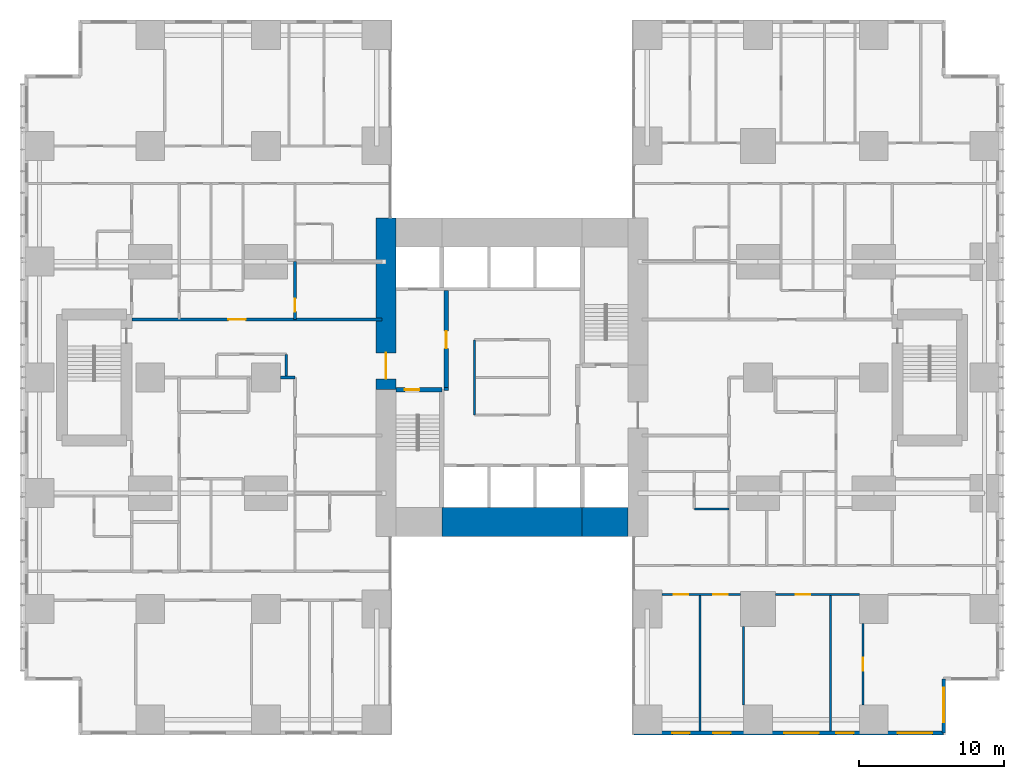
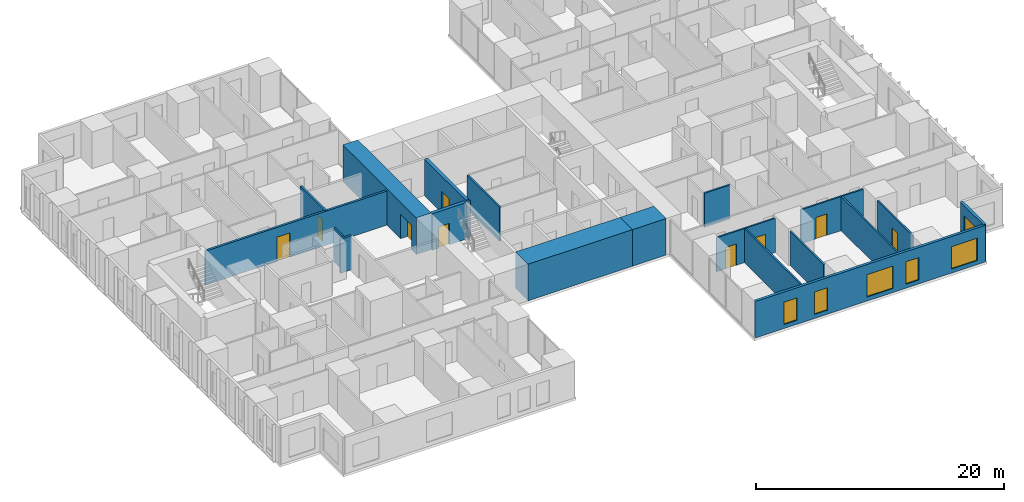
# One storey, part 14 of 20: 20 walls, 9 doors, 6 windows, 15 openings.
"""IFC4 building model written with IfcOpenShell, lengths in metres."""

from ifc_helpers import new_model, si_unit, direction, frame, frame_2d, origin, place, context, subcontext, project, spatial, rectangle, extrude, material, layer, layer_set, type_object, element, fill, save


model = new_model("IFC4")

# Units and contexts
model_context = context("Model", 3, precision=1e-05, world=origin(), true_north=direction((0.0, 1.0)))
body_context = subcontext(model_context, "Body", "Model", "MODEL_VIEW")
ifc_project = project(units=[si_unit("LENGTHUNIT", "METRE"), si_unit("AREAUNIT", "SQUARE_METRE"), si_unit("VOLUMEUNIT", "CUBIC_METRE"), si_unit("PLANEANGLEUNIT", "RADIAN"), si_unit("MASSUNIT", "GRAM", prefix="KILO")], contexts=[model_context])

# Site, building, storey
site_placement = place(None, origin())
site = spatial("IfcSite", under=ifc_project, at=site_placement, CompositionType="ELEMENT")
building_placement = place(site_placement, origin())
building = spatial("IfcBuilding", under=site, at=building_placement, Name="Cleftline Residences", CompositionType="ELEMENT")
storey_placement = place(building_placement, frame((0.0, 0.0, 157.39990234375)))
storey = spatial("IfcBuildingStorey", under=building, at=storey_placement, Name="L41", CompositionType="ELEMENT", Elevation=157.39990234375)

# Wall, opening, door
ifc_material_1 = material(Name="Concrete B70", Category="concrete")
ifc_layer_1 = layer(ifc_material_1, 1.39990234375)
ifc_layer_set_1 = layer_set([ifc_layer_1], Name="CORE WALL 1400")
wall_type_1 = type_object("IfcWallType", Name="CORE WALL 1400", PredefinedType="SHEAR", material=ifc_layer_set_1)
wall_1_placement = place(storey_placement, frame((24.300048828125, 23.14990234375, 0.0), z_axis=(0.0, 0.0, 1.0), x_axis=(0.0, 1.0, 0.0)))
wall_1 = element("IfcWall", 1, at=wall_1_placement, inside=storey, type_object=wall_type_1, Name="Core wall W", PredefinedType="SHEAR", context=body_context, shape_type="SweptSolid", body=[
    extrude(rectangle(XDim=11.85009765625, YDim=1.39990234375, at=frame_2d((5.925048828125, 0.0))), origin(), (0.0, 0.0, 1.0), 3.60009765625),
])
opening_1_placement = place(wall_1_placement, frame((0.75, 0.0, 0.0)))
opening_1 = element("IfcOpeningElement", 2, at=opening_1_placement, cuts=wall_1, Name="Opening D7", PredefinedType="OPENING", context=body_context, shape_type="SweptSolid", body=[
    extrude(rectangle(XDim=1.800048828125, YDim=2.39990234375, at=frame_2d((0.89990234375, 1.199951171875))), frame((0.0, 0.7099609375, 0.0), z_axis=(0.0, -1.0, 0.0), x_axis=(1.0, 0.0, 0.0)), (0.0, 0.0, 1.0), 1.419921875),
])
ifc_material_2 = material(Name="Steel", Category="steel")
door_type_1 = type_object("IfcDoorType", Name="WING DOOR 1800X2400", OperationType="DOUBLE_DOOR_DOUBLE_SWING", PredefinedType="DOOR", material=ifc_material_2)
door_1_placement = place(opening_1_placement, origin())
door_1 = element("IfcDoor", 3, at=door_1_placement, inside=storey, type_object=door_type_1, Name="West wing door", OperationType="DOUBLE_DOOR_DOUBLE_SWING", OverallHeight=2.39990234375, OverallWidth=1.800048828125, PredefinedType="DOOR", context=body_context, shape_type="SweptSolid", body=[
    extrude(rectangle(XDim=1.800048828125, YDim=2.39990234375, at=frame_2d((0.89990234375, 1.199951171875))), frame((0.0, 0.02490234375, 0.0), z_axis=(0.0, -1.0, 0.0), x_axis=(1.0, 0.0, 0.0)), (0.0, 0.0, 1.0), 0.050048828125),
])
fill(opening_1, door_1)

# Walls
ifc_material_3 = material(Name="Concrete B70", Category="concrete")
ifc_layer_2 = layer(ifc_material_3, 2.0)
ifc_layer_set_2 = layer_set([ifc_layer_2], Name="CORE WALL 2000")
wall_type_2 = type_object("IfcWallType", Name="CORE WALL 2000", PredefinedType="SHEAR", material=ifc_layer_set_2)
wall_2_placement = place(storey_placement, frame((28.14990234375, 14.0, 0.0), z_axis=(0.0, 0.0, 1.0), x_axis=(1.0, 0.0, 0.0)))
element("IfcWall", 4, at=wall_2_placement, inside=storey, type_object=wall_type_2, Name="Core wall S2", PredefinedType="SHEAR", context=body_context, shape_type="SweptSolid", body=[
    extrude(rectangle(XDim=9.7001953125, YDim=2.0, at=frame_2d((4.85009765625, 0.0))), origin(), (0.0, 0.0, 1.0), 3.60009765625),
])
wall_3_placement = place(storey_placement, frame((37.85009765625, 14.0, 0.0), z_axis=(0.0, 0.0, 1.0), x_axis=(1.0, 0.0, 0.0)))
element("IfcWall", 5, at=wall_3_placement, inside=storey, type_object=wall_type_2, Name="Core wall S3", PredefinedType="SHEAR", context=body_context, shape_type="SweptSolid", body=[
    extrude(rectangle(XDim=3.14990234375, YDim=2.0, at=frame_2d((1.574951171875, 0.0))), origin(), (0.0, 0.0, 1.0), 3.60009765625),
])

# Wall, opening, door
ifc_material_4 = material(Name="Concrete B70", Category="concrete")
ifc_layer_3 = layer(ifc_material_4, 0.300048828125)
ifc_layer_set_3 = layer_set([ifc_layer_3], Name="CORE WALL 300")
wall_type_3 = type_object("IfcWallType", Name="CORE WALL 300", PredefinedType="SHEAR", material=ifc_layer_set_3)
wall_4_placement = place(storey_placement, frame((25.0, 23.14990234375, 0.0), z_axis=(0.0, 0.0, 1.0), x_axis=(1.0, 0.0, 0.0)))
wall_4 = element("IfcWall", 6, at=wall_4_placement, inside=storey, type_object=wall_type_3, Name="Core wall SA-N", PredefinedType="SHEAR", context=body_context, shape_type="SweptSolid", body=[
    extrude(rectangle(XDim=3.14990234375, YDim=0.300048828125, at=frame_2d((1.574951171875, 0.0))), origin(), (0.0, 0.0, 1.0), 3.60009765625),
])
opening_2_placement = place(wall_4_placement, frame((0.60009765625, 0.0, 0.0)))
opening_2 = element("IfcOpeningElement", 7, at=opening_2_placement, cuts=wall_4, Name="Opening D5", PredefinedType="OPENING", context=body_context, shape_type="SweptSolid", body=[
    extrude(rectangle(XDim=1.0, YDim=2.10009765625, at=frame_2d((0.5, 1.050048828125))), frame((0.0, 0.159912109375, 0.0), z_axis=(0.0, -1.0, 0.0), x_axis=(1.0, 0.0, 0.0)), (0.0, 0.0, 1.0), 0.320068359375),
])
ifc_material_5 = material(Name="Steel", Category="steel")
door_type_2 = type_object("IfcDoorType", Name="STAIR DOOR 1000X2100", OperationType="SINGLE_SWING_LEFT", PredefinedType="DOOR", material=ifc_material_5)
door_2_placement = place(opening_2_placement, origin())
door_2 = element("IfcDoor", 8, at=door_2_placement, inside=storey, type_object=door_type_2, Name="Stair A door", OperationType="SINGLE_SWING_RIGHT", OverallHeight=2.10009765625, OverallWidth=1.0, PredefinedType="DOOR", context=body_context, shape_type="SweptSolid", body=[
    extrude(rectangle(XDim=1.0, YDim=2.10009765625, at=frame_2d((0.5, 1.050048828125))), frame((0.0, 0.02490234375, 0.0), z_axis=(0.0, -1.0, 0.0), x_axis=(1.0, 0.0, 0.0)), (0.0, 0.0, 1.0), 0.050048828125),
])
fill(opening_2, door_2)

# Wall, openings, windows
ifc_material_6 = material(Name="Rendered reinforced concrete blockwork", Category="masonry")
ifc_layer_4 = layer(ifc_material_6, 0.25)
ifc_layer_set_4 = layer_set([ifc_layer_4], Name="EXTERNAL WALL 250")
wall_type_4 = type_object("IfcWallType", Name="EXTERNAL WALL 250", PredefinedType="SOLIDWALL", material=ifc_layer_set_4)
wall_5_placement = place(storey_placement, frame((41.425048828125, -0.574951171875, 0.0), z_axis=(0.0, 0.0, 1.0), x_axis=(1.0, 0.0, 0.0)))
wall_5 = element("IfcWall", 9, at=wall_5_placement, inside=storey, type_object=wall_type_4, Name="External wall", PredefinedType="SOLIDWALL", context=body_context, shape_type="SweptSolid", body=[
    extrude(rectangle(XDim=21.39990234375, YDim=0.25, at=frame_2d((10.699951171875, 0.0))), origin(), (0.0, 0.0, 1.0), 3.60009765625),
])
opening_3_placement = place(wall_5_placement, frame((2.64990234375, 0.0, 0.39990234375)))
opening_3 = element("IfcOpeningElement", 10, at=opening_3_placement, cuts=wall_5, Name="Opening W11", PredefinedType="OPENING", context=body_context, shape_type="SweptSolid", body=[
    extrude(rectangle(XDim=1.199951171875, YDim=2.199951171875, at=frame_2d((0.60009765625, 1.10009765625))), frame((0.0, 0.135009765625, 0.0), z_axis=(0.0, -1.0, 0.0), x_axis=(1.0, 0.0, 0.0)), (0.0, 0.0, 1.0), 0.27001953125),
])
opening_4_placement = place(wall_5_placement, frame((5.47509765625, 0.0, 0.39990234375)))
opening_4 = element("IfcOpeningElement", 11, at=opening_4_placement, cuts=wall_5, Name="Opening W11", PredefinedType="OPENING", context=body_context, shape_type="SweptSolid", body=[
    extrude(rectangle(XDim=1.199951171875, YDim=2.199951171875, at=frame_2d((0.60009765625, 1.10009765625))), frame((0.0, 0.135009765625, 0.0), z_axis=(0.0, -1.0, 0.0), x_axis=(1.0, 0.0, 0.0)), (0.0, 0.0, 1.0), 0.27001953125),
])
opening_5_placement = place(wall_5_placement, frame((10.375, 0.0, 0.39990234375)))
opening_5 = element("IfcOpeningElement", 12, at=opening_5_placement, cuts=wall_5, Name="Opening W12", PredefinedType="OPENING", context=body_context, shape_type="SweptSolid", body=[
    extrude(rectangle(XDim=2.39990234375, YDim=2.199951171875, at=frame_2d((1.199951171875, 1.10009765625))), frame((0.0, 0.135009765625, 0.0), z_axis=(0.0, -1.0, 0.0), x_axis=(1.0, 0.0, 0.0)), (0.0, 0.0, 1.0), 0.27001953125),
])
opening_6_placement = place(wall_5_placement, frame((13.97509765625, 0.0, 0.39990234375)))
opening_6 = element("IfcOpeningElement", 13, at=opening_6_placement, cuts=wall_5, Name="Opening W11", PredefinedType="OPENING", context=body_context, shape_type="SweptSolid", body=[
    extrude(rectangle(XDim=1.199951171875, YDim=2.199951171875, at=frame_2d((0.60009765625, 1.10009765625))), frame((0.0, 0.135009765625, 0.0), z_axis=(0.0, -1.0, 0.0), x_axis=(1.0, 0.0, 0.0)), (0.0, 0.0, 1.0), 0.27001953125),
])
opening_7_placement = place(wall_5_placement, frame((18.22509765625, 0.0, 0.39990234375)))
opening_7 = element("IfcOpeningElement", 14, at=opening_7_placement, cuts=wall_5, Name="Opening W12", PredefinedType="OPENING", context=body_context, shape_type="SweptSolid", body=[
    extrude(rectangle(XDim=2.39990234375, YDim=2.199951171875, at=frame_2d((1.199951171875, 1.10009765625))), frame((0.0, 0.135009765625, 0.0), z_axis=(0.0, -1.0, 0.0), x_axis=(1.0, 0.0, 0.0)), (0.0, 0.0, 1.0), 0.27001953125),
])
ifc_material_7 = material(Name="Aluminium frame, clear double glazing", Category="aluminium")
window_type_1 = type_object("IfcWindowType", Name="WINDOW 1200X2200", PartitioningType="DOUBLE_PANEL_VERTICAL", PredefinedType="WINDOW", material=ifc_material_7)
window_1_placement = place(opening_3_placement, origin())
window_1 = element("IfcWindow", 15, at=window_1_placement, inside=storey, type_object=window_type_1, Name="Window", OverallHeight=2.199951171875, OverallWidth=1.199951171875, PartitioningType="SINGLE_PANEL", PredefinedType="WINDOW", context=body_context, shape_type="SweptSolid", body=[
    extrude(rectangle(XDim=1.199951171875, YDim=2.199951171875, at=frame_2d((0.60009765625, 1.10009765625))), frame((0.0, 0.030029296875, 0.0), z_axis=(0.0, -1.0, 0.0), x_axis=(1.0, 0.0, 0.0)), (0.0, 0.0, 1.0), 0.06005859375),
])
fill(opening_3, window_1)
window_2_placement = place(opening_4_placement, origin())
window_2 = element("IfcWindow", 16, at=window_2_placement, inside=storey, type_object=window_type_1, Name="Window", OverallHeight=2.199951171875, OverallWidth=1.199951171875, PartitioningType="SINGLE_PANEL", PredefinedType="WINDOW", context=body_context, shape_type="SweptSolid", body=[
    extrude(rectangle(XDim=1.199951171875, YDim=2.199951171875, at=frame_2d((0.60009765625, 1.10009765625))), frame((0.0, 0.030029296875, 0.0), z_axis=(0.0, -1.0, 0.0), x_axis=(1.0, 0.0, 0.0)), (0.0, 0.0, 1.0), 0.06005859375),
])
fill(opening_4, window_2)
window_3_placement = place(opening_6_placement, origin())
window_3 = element("IfcWindow", 17, at=window_3_placement, inside=storey, type_object=window_type_1, Name="Window", OverallHeight=2.199951171875, OverallWidth=1.199951171875, PartitioningType="SINGLE_PANEL", PredefinedType="WINDOW", context=body_context, shape_type="SweptSolid", body=[
    extrude(rectangle(XDim=1.199951171875, YDim=2.199951171875, at=frame_2d((0.60009765625, 1.10009765625))), frame((0.0, 0.030029296875, 0.0), z_axis=(0.0, -1.0, 0.0), x_axis=(1.0, 0.0, 0.0)), (0.0, 0.0, 1.0), 0.06005859375),
])
fill(opening_6, window_3)
ifc_material_8 = material(Name="Aluminium frame, clear double glazing", Category="aluminium")
window_type_2 = type_object("IfcWindowType", Name="WINDOW 2400X2200", PartitioningType="DOUBLE_PANEL_VERTICAL", PredefinedType="WINDOW", material=ifc_material_8)
window_4_placement = place(opening_5_placement, origin())
window_4 = element("IfcWindow", 18, at=window_4_placement, inside=storey, type_object=window_type_2, Name="Window", OverallHeight=2.199951171875, OverallWidth=2.39990234375, PartitioningType="SINGLE_PANEL", PredefinedType="WINDOW", context=body_context, shape_type="SweptSolid", body=[
    extrude(rectangle(XDim=2.39990234375, YDim=2.199951171875, at=frame_2d((1.199951171875, 1.10009765625))), frame((0.0, 0.030029296875, 0.0), z_axis=(0.0, -1.0, 0.0), x_axis=(1.0, 0.0, 0.0)), (0.0, 0.0, 1.0), 0.06005859375),
])
fill(opening_5, window_4)
window_5_placement = place(opening_7_placement, origin())
window_5 = element("IfcWindow", 19, at=window_5_placement, inside=storey, type_object=window_type_2, Name="Window", OverallHeight=2.199951171875, OverallWidth=2.39990234375, PartitioningType="SINGLE_PANEL", PredefinedType="WINDOW", context=body_context, shape_type="SweptSolid", body=[
    extrude(rectangle(XDim=2.39990234375, YDim=2.199951171875, at=frame_2d((1.199951171875, 1.10009765625))), frame((0.0, 0.030029296875, 0.0), z_axis=(0.0, -1.0, 0.0), x_axis=(1.0, 0.0, 0.0)), (0.0, 0.0, 1.0), 0.06005859375),
])
fill(opening_7, window_5)

# Wall, opening, window
wall_6_placement = place(storey_placement, frame((62.824951171875, -0.574951171875, 0.0), z_axis=(0.0, 0.0, 1.0), x_axis=(0.0, 1.0, 0.0)))
wall_6 = element("IfcWall", 20, at=wall_6_placement, inside=storey, type_object=wall_type_4, Name="External wall", PredefinedType="SOLIDWALL", context=body_context, shape_type="SweptSolid", body=[
    extrude(rectangle(XDim=3.75, YDim=0.25, at=frame_2d((1.875, 0.0))), origin(), (0.0, 0.0, 1.0), 3.60009765625),
])
opening_8_placement = place(wall_6_placement, frame((0.737548828125, 0.0, 0.39990234375)))
opening_8 = element("IfcOpeningElement", 21, at=opening_8_placement, cuts=wall_6, Name="Opening W12", PredefinedType="OPENING", context=body_context, shape_type="SweptSolid", body=[
    extrude(rectangle(XDim=2.39990234375, YDim=2.199951171875, at=frame_2d((1.199951171875, 1.10009765625))), frame((0.0, 0.135009765625, 0.0), z_axis=(0.0, -1.0, 0.0), x_axis=(1.0, 0.0, 0.0)), (0.0, 0.0, 1.0), 0.27001953125),
])
window_6_placement = place(opening_8_placement, origin())
window_6 = element("IfcWindow", 22, at=window_6_placement, inside=storey, type_object=window_type_2, Name="Window", OverallHeight=2.199951171875, OverallWidth=2.39990234375, PartitioningType="SINGLE_PANEL", PredefinedType="WINDOW", context=body_context, shape_type="SweptSolid", body=[
    extrude(rectangle(XDim=2.39990234375, YDim=2.199951171875, at=frame_2d((1.199951171875, 1.10009765625))), frame((0.0, 0.030029296875, 0.0), z_axis=(0.0, -1.0, 0.0), x_axis=(1.0, 0.0, 0.0)), (0.0, 0.0, 1.0), 0.06005859375),
])
fill(opening_8, window_6)

# Wall
ifc_material_9 = material(Name="Concrete blockwork, fire rated", Category="masonry")
ifc_layer_5 = layer(ifc_material_9, 0.199951171875)
ifc_layer_set_5 = layer_set([ifc_layer_5], Name="FIRE WALL 200")
wall_type_5 = type_object("IfcWallType", Name="FIRE WALL 200", PredefinedType="PARTITIONING", material=ifc_layer_set_5)
wall_7_placement = place(storey_placement, frame((17.0, 24.0, 0.0), z_axis=(0.0, 0.0, 1.0), x_axis=(1.0, 0.0, 0.0)))
element("IfcWall", 23, at=wall_7_placement, inside=storey, type_object=wall_type_5, Name="Fire separating wall", PredefinedType="PARTITIONING", context=body_context, shape_type="SweptSolid", body=[
    extrude(rectangle(XDim=1.0, YDim=0.199951171875, at=frame_2d((0.5, 0.0))), origin(), (0.0, 0.0, 1.0), 3.35009765625),
])

# Wall, opening, door
wall_8_placement = place(storey_placement, frame((6.72509765625, 28.0, 0.0), z_axis=(0.0, 0.0, 1.0), x_axis=(1.0, 0.0, 0.0)))
wall_8 = element("IfcWall", 24, at=wall_8_placement, inside=storey, type_object=wall_type_5, Name="Fire separating wall", PredefinedType="PARTITIONING", context=body_context, shape_type="SweptSolid", body=[
    extrude(rectangle(XDim=17.27490234375, YDim=0.199951171875, at=frame_2d((8.637451171875, 0.0))), origin(), (0.0, 0.0, 1.0), 3.35009765625),
])
opening_9_placement = place(wall_8_placement, frame((6.675048828125, 0.0, 0.0)))
opening_9 = element("IfcOpeningElement", 25, at=opening_9_placement, cuts=wall_8, Name="Opening D4", PredefinedType="OPENING", context=body_context, shape_type="SweptSolid", body=[
    extrude(rectangle(XDim=1.199951171875, YDim=2.39990234375, at=frame_2d((0.60009765625, 1.199951171875))), frame((0.0, 0.10986328125, 0.0), z_axis=(0.0, -1.0, 0.0), x_axis=(1.0, 0.0, 0.0)), (0.0, 0.0, 1.0), 0.219970703125),
])
ifc_material_10 = material(Name="Timber veneer on solid core", Category="wood")
door_type_3 = type_object("IfcDoorType", Name="APARTMENT ENTRANCE DOOR 1200X2400", OperationType="SINGLE_SWING_RIGHT", PredefinedType="DOOR", material=ifc_material_10)
door_3_placement = place(opening_9_placement, origin())
door_3 = element("IfcDoor", 26, at=door_3_placement, inside=storey, type_object=door_type_3, Name="Door to residence entrance foyer", OperationType="SINGLE_SWING_RIGHT", OverallHeight=2.39990234375, OverallWidth=1.199951171875, PredefinedType="DOOR", context=body_context, shape_type="SweptSolid", body=[
    extrude(rectangle(XDim=1.199951171875, YDim=2.39990234375, at=frame_2d((0.60009765625, 1.199951171875))), frame((0.0, 0.02490234375, 0.0), z_axis=(0.0, -1.0, 0.0), x_axis=(1.0, 0.0, 0.0)), (0.0, 0.0, 1.0), 0.050048828125),
])
fill(opening_9, door_3)

wall_9_placement = place(storey_placement, frame((18.0, 28.0, 0.0), z_axis=(0.0, 0.0, 1.0), x_axis=(0.0, 1.0, 0.0)))
wall_9 = element("IfcWall", 27, at=wall_9_placement, inside=storey, type_object=wall_type_5, Name="Fire separating wall", PredefinedType="PARTITIONING", context=body_context, shape_type="SweptSolid", body=[
    extrude(rectangle(XDim=4.0, YDim=0.199951171875, at=frame_2d((2.0, 0.0))), origin(), (0.0, 0.0, 1.0), 3.35009765625),
])
opening_10_placement = place(wall_9_placement, frame((0.550048828125, 0.0, 0.0)))
opening_10 = element("IfcOpeningElement", 28, at=opening_10_placement, cuts=wall_9, Name="Opening D1F30", PredefinedType="OPENING", context=body_context, shape_type="SweptSolid", body=[
    extrude(rectangle(XDim=0.89990234375, YDim=2.10009765625, at=frame_2d((0.449951171875, 1.050048828125))), frame((0.0, 0.10986328125, 0.0), z_axis=(0.0, -1.0, 0.0), x_axis=(1.0, 0.0, 0.0)), (0.0, 0.0, 1.0), 0.219970703125),
])
ifc_material_11 = material(Name="Timber veneer on solid core", Category="wood")
door_type_4 = type_object("IfcDoorType", Name="DOOR 900X2100 EI 30", OperationType="SINGLE_SWING_LEFT", PredefinedType="DOOR", material=ifc_material_11)
door_4_placement = place(opening_10_placement, origin())
door_4 = element("IfcDoor", 29, at=door_4_placement, inside=storey, type_object=door_type_4, Name="Door to utility room and wc", OperationType="SINGLE_SWING_RIGHT", OverallHeight=2.10009765625, OverallWidth=0.89990234375, PredefinedType="DOOR", context=body_context, shape_type="SweptSolid", body=[
    extrude(rectangle(XDim=0.89990234375, YDim=2.10009765625, at=frame_2d((0.449951171875, 1.050048828125))), frame((0.0, 0.02490234375, 0.0), z_axis=(0.0, -1.0, 0.0), x_axis=(1.0, 0.0, 0.0)), (0.0, 0.0, 1.0), 0.050048828125),
])
fill(opening_10, door_4)

# Wall
wall_10_placement = place(storey_placement, frame((28.300048828125, 23.199951171875, 0.0), z_axis=(0.0, 0.0, 1.0), x_axis=(1.0, 0.0, 0.0)))
element("IfcWall", 30, at=wall_10_placement, inside=storey, type_object=wall_type_5, Name="Fire separating wall", PredefinedType="PARTITIONING", context=body_context, shape_type="SweptSolid", body=[
    extrude(rectangle(XDim=0.300048828125, YDim=0.199951171875, at=frame_2d((0.14990234375, 0.0))), origin(), (0.0, 0.0, 1.0), 3.60009765625),
])

# Wall, openings, doors
ifc_material_12 = material(Name="Gypsum board on steel studs", Category="steel")
ifc_layer_6 = layer(ifc_material_12, 0.14990234375)
ifc_layer_set_6 = layer_set([ifc_layer_6], Name="PARTITION 150")
wall_type_6 = type_object("IfcWallType", Name="PARTITION 150", PredefinedType="PARTITIONING", material=ifc_layer_set_6)
wall_11_placement = place(storey_placement, frame((43.35009765625, 9.0, 0.0), z_axis=(0.0, 0.0, 1.0), x_axis=(1.0, 0.0, 0.0)))
wall_11 = element("IfcWall", 31, at=wall_11_placement, inside=storey, type_object=wall_type_6, Name="Partition", PredefinedType="PARTITIONING", context=body_context, shape_type="SweptSolid", body=[
    extrude(rectangle(XDim=5.449951171875, YDim=0.14990234375, at=frame_2d((2.72509765625, 0.0))), origin(), (0.0, 0.0, 1.0), 3.35009765625),
])
opening_11_placement = place(wall_11_placement, frame((3.550048828125, 0.0, 0.0)))
opening_11 = element("IfcOpeningElement", 32, at=opening_11_placement, cuts=wall_11, Name="Opening D2", PredefinedType="OPENING", context=body_context, shape_type="SweptSolid", body=[
    extrude(rectangle(XDim=1.0, YDim=2.10009765625, at=frame_2d((0.5, 1.050048828125))), frame((0.0, 0.0849609375, 0.0), z_axis=(0.0, -1.0, 0.0), x_axis=(1.0, 0.0, 0.0)), (0.0, 0.0, 1.0), 0.169921875),
])
opening_12_placement = place(wall_11_placement, frame((0.824951171875, 0.0, 0.0)))
opening_12 = element("IfcOpeningElement", 33, at=opening_12_placement, cuts=wall_11, Name="Opening D2", PredefinedType="OPENING", context=body_context, shape_type="SweptSolid", body=[
    extrude(rectangle(XDim=1.0, YDim=2.10009765625, at=frame_2d((0.5, 1.050048828125))), frame((0.0, 0.0849609375, 0.0), z_axis=(0.0, -1.0, 0.0), x_axis=(1.0, 0.0, 0.0)), (0.0, 0.0, 1.0), 0.169921875),
])
ifc_material_13 = material(Name="Timber veneer on solid core", Category="wood")
door_type_5 = type_object("IfcDoorType", Name="DOOR 1000X2100", OperationType="SINGLE_SWING_LEFT", PredefinedType="DOOR", material=ifc_material_13)
door_5_placement = place(opening_11_placement, origin())
door_5 = element("IfcDoor", 34, at=door_5_placement, inside=storey, type_object=door_type_5, Name="Door to breakfast room", OperationType="SINGLE_SWING_LEFT", OverallHeight=2.10009765625, OverallWidth=1.0, PredefinedType="DOOR", context=body_context, shape_type="SweptSolid", body=[
    extrude(rectangle(XDim=1.0, YDim=2.10009765625, at=frame_2d((0.5, 1.050048828125))), frame((0.0, 0.02490234375, 0.0), z_axis=(0.0, -1.0, 0.0), x_axis=(1.0, 0.0, 0.0)), (0.0, 0.0, 1.0), 0.050048828125),
])
fill(opening_11, door_5)
door_6_placement = place(opening_12_placement, origin())
door_6 = element("IfcDoor", 35, at=door_6_placement, inside=storey, type_object=door_type_5, Name="Door to show kitchen", OperationType="SINGLE_SWING_RIGHT", OverallHeight=2.10009765625, OverallWidth=1.0, PredefinedType="DOOR", context=body_context, shape_type="SweptSolid", body=[
    extrude(rectangle(XDim=1.0, YDim=2.10009765625, at=frame_2d((0.5, 1.050048828125))), frame((0.0, 0.02490234375, 0.0), z_axis=(0.0, -1.0, 0.0), x_axis=(1.0, 0.0, 0.0)), (0.0, 0.0, 1.0), 0.050048828125),
])
fill(opening_12, door_6)

# Wall, opening, door
wall_12_placement = place(storey_placement, frame((51.199951171875, 9.0, 0.0), z_axis=(0.0, 0.0, 1.0), x_axis=(1.0, 0.0, 0.0)))
wall_12 = element("IfcWall", 36, at=wall_12_placement, inside=storey, type_object=wall_type_6, Name="Partition", PredefinedType="PARTITIONING", context=body_context, shape_type="SweptSolid", body=[
    extrude(rectangle(XDim=5.800048828125, YDim=0.14990234375, at=frame_2d((2.89990234375, 0.0))), origin(), (0.0, 0.0, 1.0), 3.35009765625),
])
opening_13_placement = place(wall_12_placement, frame((1.39990234375, 0.0, 0.0)))
opening_13 = element("IfcOpeningElement", 37, at=opening_13_placement, cuts=wall_12, Name="Opening D2", PredefinedType="OPENING", context=body_context, shape_type="SweptSolid", body=[
    extrude(rectangle(XDim=1.0, YDim=2.10009765625, at=frame_2d((0.5, 1.050048828125))), frame((0.0, 0.0849609375, 0.0), z_axis=(0.0, -1.0, 0.0), x_axis=(1.0, 0.0, 0.0)), (0.0, 0.0, 1.0), 0.169921875),
])
door_7_placement = place(opening_13_placement, origin())
door_7 = element("IfcDoor", 38, at=door_7_placement, inside=storey, type_object=door_type_5, Name="Door to dining room", OperationType="SINGLE_SWING_RIGHT", OverallHeight=2.10009765625, OverallWidth=1.0, PredefinedType="DOOR", context=body_context, shape_type="SweptSolid", body=[
    extrude(rectangle(XDim=1.0, YDim=2.10009765625, at=frame_2d((0.5, 1.050048828125))), frame((0.0, 0.02490234375, 0.0), z_axis=(0.0, -1.0, 0.0), x_axis=(1.0, 0.0, 0.0)), (0.0, 0.0, 1.0), 0.050048828125),
])
fill(opening_13, door_7)

# Walls
wall_13_placement = place(storey_placement, frame((45.60009765625, 14.89990234375, 0.0), z_axis=(0.0, 0.0, 1.0), x_axis=(1.0, 0.0, 0.0)))
element("IfcWall", 39, at=wall_13_placement, inside=storey, type_object=wall_type_6, Name="Partition", PredefinedType="PARTITIONING", context=body_context, shape_type="SweptSolid", body=[
    extrude(rectangle(XDim=2.39990234375, YDim=0.14990234375, at=frame_2d((1.199951171875, 0.0))), origin(), (0.0, 0.0, 1.0), 3.35009765625),
])
wall_14_placement = place(storey_placement, frame((17.39990234375, 24.0, 0.0), z_axis=(0.0, 0.0, 1.0), x_axis=(0.0, 1.0, 0.0)))
element("IfcWall", 40, at=wall_14_placement, inside=storey, type_object=wall_type_6, Name="Partition", PredefinedType="PARTITIONING", context=body_context, shape_type="SweptSolid", body=[
    extrude(rectangle(XDim=1.60009765625, YDim=0.14990234375, at=frame_2d((0.800048828125, 0.0))), origin(), (0.0, 0.0, 1.0), 3.35009765625),
])
wall_15_placement = place(storey_placement, frame((46.0, -0.449951171875, 0.0), z_axis=(0.0, 0.0, 1.0), x_axis=(0.0, 1.0, 0.0)))
element("IfcWall", 41, at=wall_15_placement, inside=storey, type_object=wall_type_6, Name="Partition", PredefinedType="PARTITIONING", context=body_context, shape_type="SweptSolid", body=[
    extrude(rectangle(XDim=9.449951171875, YDim=0.14990234375, at=frame_2d((4.72509765625, 0.0))), origin(), (0.0, 0.0, 1.0), 3.35009765625),
])
wall_16_placement = place(storey_placement, frame((49.0, 1.35009765625, 0.0), z_axis=(0.0, 0.0, 1.0), x_axis=(0.0, 1.0, 0.0)))
element("IfcWall", 42, at=wall_16_placement, inside=storey, type_object=wall_type_6, Name="Partition", PredefinedType="PARTITIONING", context=body_context, shape_type="SweptSolid", body=[
    extrude(rectangle(XDim=5.449951171875, YDim=0.14990234375, at=frame_2d((2.72509765625, 0.0))), origin(), (0.0, 0.0, 1.0), 3.35009765625),
])
wall_17_placement = place(storey_placement, frame((55.0, -0.449951171875, 0.0), z_axis=(0.0, 0.0, 1.0), x_axis=(0.0, 1.0, 0.0)))
element("IfcWall", 43, at=wall_17_placement, inside=storey, type_object=wall_type_6, Name="Partition", PredefinedType="PARTITIONING", context=body_context, shape_type="SweptSolid", body=[
    extrude(rectangle(XDim=9.449951171875, YDim=0.14990234375, at=frame_2d((4.72509765625, 0.0))), origin(), (0.0, 0.0, 1.0), 3.35009765625),
])

# Wall, opening, door
wall_18_placement = place(storey_placement, frame((57.25, 1.35009765625, 0.0), z_axis=(0.0, 0.0, 1.0), x_axis=(0.0, 1.0, 0.0)))
wall_18 = element("IfcWall", 44, at=wall_18_placement, inside=storey, type_object=wall_type_6, Name="Partition", PredefinedType="PARTITIONING", context=body_context, shape_type="SweptSolid", body=[
    extrude(rectangle(XDim=5.64990234375, YDim=0.14990234375, at=frame_2d((2.824951171875, 0.0))), origin(), (0.0, 0.0, 1.0), 3.35009765625),
])
opening_14_placement = place(wall_18_placement, frame((2.375, 0.0, 0.0)))
opening_14 = element("IfcOpeningElement", 45, at=opening_14_placement, cuts=wall_18, Name="Opening D1", PredefinedType="OPENING", context=body_context, shape_type="SweptSolid", body=[
    extrude(rectangle(XDim=0.89990234375, YDim=2.10009765625, at=frame_2d((0.449951171875, 1.050048828125))), frame((0.0, 0.0849609375, 0.0), z_axis=(0.0, -1.0, 0.0), x_axis=(1.0, 0.0, 0.0)), (0.0, 0.0, 1.0), 0.169921875),
])
ifc_material_14 = material(Name="Timber veneer on solid core", Category="wood")
door_type_6 = type_object("IfcDoorType", Name="DOOR 900X2100", OperationType="SINGLE_SWING_LEFT", PredefinedType="DOOR", material=ifc_material_14)
door_8_placement = place(opening_14_placement, origin())
door_8 = element("IfcDoor", 46, at=door_8_placement, inside=storey, type_object=door_type_6, Name="Door to store room", OperationType="SINGLE_SWING_LEFT", OverallHeight=2.10009765625, OverallWidth=0.89990234375, PredefinedType="DOOR", context=body_context, shape_type="SweptSolid", body=[
    extrude(rectangle(XDim=0.89990234375, YDim=2.10009765625, at=frame_2d((0.449951171875, 1.050048828125))), frame((0.0, 0.02490234375, 0.0), z_axis=(0.0, -1.0, 0.0), x_axis=(1.0, 0.0, 0.0)), (0.0, 0.0, 1.0), 0.050048828125),
])
fill(opening_14, door_8)

# Wall
ifc_material_15 = material(Name="Fire-resisting gypsum board on steel studs", Category="steel")
ifc_layer_7 = layer(ifc_material_15, 0.14990234375)
ifc_layer_set_7 = layer_set([ifc_layer_7], Name="PARTITION 150 EI 60")
wall_type_7 = type_object("IfcWallType", Name="PARTITION 150 EI 60", PredefinedType="PARTITIONING", material=ifc_layer_set_7)
wall_19_placement = place(storey_placement, frame((30.39990234375, 21.39990234375, 0.0), z_axis=(0.0, 0.0, 1.0), x_axis=(0.0, 1.0, 0.0)))
element("IfcWall", 47, at=wall_19_placement, inside=storey, type_object=wall_type_7, Name="Core room partition", PredefinedType="PARTITIONING", context=body_context, shape_type="SweptSolid", body=[
    extrude(rectangle(XDim=5.2001953125, YDim=0.14990234375, at=frame_2d((2.60009765625, 0.0))), origin(), (0.0, 0.0, 1.0), 3.35009765625),
])

# Wall, opening, door
ifc_material_16 = material(Name="Concrete blockwork, fire rated", Category="masonry")
ifc_layer_8 = layer(ifc_material_16, 0.300048828125)
ifc_layer_set_8 = layer_set([ifc_layer_8], Name="STAIR LOBBY WALL 300")
wall_type_8 = type_object("IfcWallType", Name="STAIR LOBBY WALL 300", PredefinedType="PARTITIONING", material=ifc_layer_set_8)
wall_20_placement = place(storey_placement, frame((28.449951171875, 23.300048828125, 0.0), z_axis=(0.0, 0.0, 1.0), x_axis=(0.0, 1.0, 0.0)))
wall_20 = element("IfcWall", 48, at=wall_20_placement, inside=storey, type_object=wall_type_8, Name="Stair and lobby wall FA-E", PredefinedType="PARTITIONING", context=body_context, shape_type="SweptSolid", body=[
    extrude(rectangle(XDim=6.699951171875, YDim=0.300048828125, at=frame_2d((3.35009765625, 0.0))), origin(), (0.0, 0.0, 1.0), 3.60009765625),
])
opening_15_placement = place(wall_20_placement, frame((2.699951171875, 0.0, 0.0)))
opening_15 = element("IfcOpeningElement", 49, at=opening_15_placement, cuts=wall_20, Name="Opening D6", PredefinedType="OPENING", context=body_context, shape_type="SweptSolid", body=[
    extrude(rectangle(XDim=1.199951171875, YDim=2.10009765625, at=frame_2d((0.60009765625, 1.050048828125))), frame((0.0, 0.159912109375, 0.0), z_axis=(0.0, -1.0, 0.0), x_axis=(1.0, 0.0, 0.0)), (0.0, 0.0, 1.0), 0.320068359375),
])
ifc_material_17 = material(Name="Steel", Category="steel")
door_type_7 = type_object("IfcDoorType", Name="LOBBY DOOR 1200X2100", OperationType="SINGLE_SWING_RIGHT", PredefinedType="DOOR", material=ifc_material_17)
door_9_placement = place(opening_15_placement, origin())
door_9 = element("IfcDoor", 50, at=door_9_placement, inside=storey, type_object=door_type_7, Name="Firefighting lobby A door", OperationType="SINGLE_SWING_RIGHT", OverallHeight=2.10009765625, OverallWidth=1.199951171875, PredefinedType="DOOR", context=body_context, shape_type="SweptSolid", body=[
    extrude(rectangle(XDim=1.199951171875, YDim=2.10009765625, at=frame_2d((0.60009765625, 1.050048828125))), frame((0.0, 0.02490234375, 0.0), z_axis=(0.0, -1.0, 0.0), x_axis=(1.0, 0.0, 0.0)), (0.0, 0.0, 1.0), 0.050048828125),
])
fill(opening_15, door_9)

save(model, "model.ifc")
